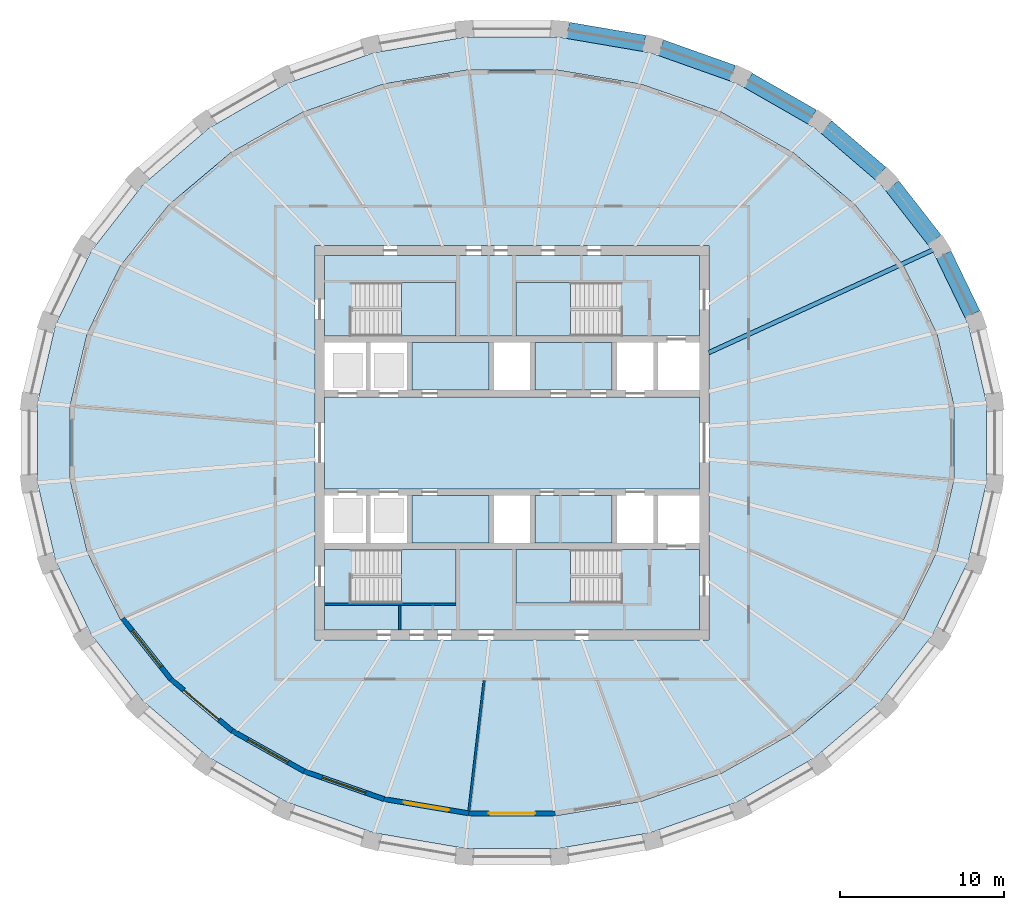
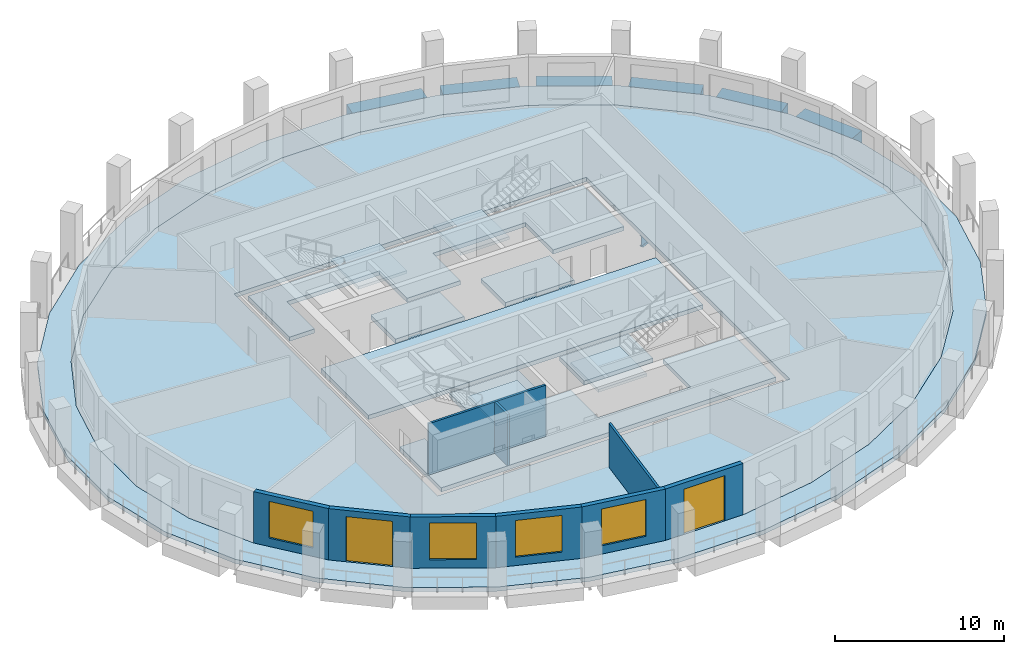
# One storey, part 2 of 10: 13 slabs, 9 walls, 7 beams, 4 windows, 2 doors, 6 openings, 4 elements without a shape of their own.
"""IFC4 building model written with IfcOpenShell, lengths in metres."""

from ifc_helpers import new_model, si_unit, direction, frame, frame_2d, origin, origin_2d, place, context, subcontext, project, spatial, polyline, rectangle, i_section, outline, extrude, material, layer, layer_set, material_profile, profile_set, type_object, element, fill, aggregate, save


model = new_model("IFC4")

# Units and contexts
model_context = context("Model", 3, precision=1e-05, world=origin(), true_north=direction((0.0, 1.0)))
body_context = subcontext(model_context, "Body", "Model", "MODEL_VIEW")
ifc_project = project(units=[si_unit("LENGTHUNIT", "METRE"), si_unit("AREAUNIT", "SQUARE_METRE"), si_unit("VOLUMEUNIT", "CUBIC_METRE"), si_unit("PLANEANGLEUNIT", "RADIAN"), si_unit("MASSUNIT", "GRAM", prefix="KILO")], contexts=[model_context])

# Site, building, storey
site_placement = place(None, origin())
site = spatial("IfcSite", under=ifc_project, at=site_placement, CompositionType="ELEMENT")
building_placement = place(site_placement, origin())
building = spatial("IfcBuilding", under=site, at=building_placement, Name="Halqa Exchange Tower", CompositionType="ELEMENT")
storey_placement = place(building_placement, frame((0.0, 0.0, 284.300048828125)))
storey = spatial("IfcBuildingStorey", under=building, at=storey_placement, Name="L66", CompositionType="ELEMENT", Elevation=284.300048828125)

# Beams
ifc_material_1 = material(Name="Steel S355", Category="steel")
ifc_material_profile_1 = material_profile(ifc_material_1, i_section(OverallWidth=0.264892578125, OverallDepth=0.7529296875, WebThickness=0.01318359375, FlangeThickness=0.01708984375, FilletRadius=0.01708984375, at=origin_2d()), Name="IPE 750x147")
ifc_profile_set_1 = profile_set([ifc_material_profile_1], Name="Steel S355")
beam_type_1 = type_object("IfcBeamType", Name="Floor beam IPE 750x147", PredefinedType="BEAM", material=ifc_profile_set_1)
beam_1_placement = place(storey_placement, frame((11.972412109375, 5.4853515625, -0.676513671875), z_axis=(0.909129124533, 0.416514387417, 0.0), x_axis=(-0.416514387417, 0.909129124533, 0.0)))
element("IfcBeam", 1, at=beam_1_placement, inside=storey, type_object=beam_type_1, Name="Radial beam 3", PredefinedType="BEAM", context=body_context, shape_type="SweptSolid", body=[
    extrude(i_section(OverallWidth=0.264892578125, OverallDepth=0.7529296875, WebThickness=0.01318359375, FlangeThickness=0.01708984375, FilletRadius=0.01708984375, at=origin_2d()), origin(), (0.0, 0.0, 1.0), 15.097412109375),
])
ifc_material_2 = material(Name="Concrete C60/75", Category="concrete")
ifc_material_profile_2 = material_profile(ifc_material_2, rectangle(XDim=1.0, YDim=0.89990234375, at=origin_2d()), Name="1000 x 900")
ifc_profile_set_2 = profile_set([ifc_material_profile_2], Name="Concrete C60/75")
beam_type_2 = type_object("IfcBeamType", Name="RC spandrel beam 1000 x 900 C60/75", PredefinedType="SPANDREL", material=ifc_profile_set_2)
beam_2_placement = place(storey_placement, frame((28.0263671875, 7.8193359375, -0.449951171875), z_axis=(-0.435061697702, 0.90040064371, 0.0), x_axis=(-0.90040064371, -0.435061697702, 0.0)))
element("IfcBeam", 2, at=beam_2_placement, inside=storey, type_object=beam_type_2, Name="Spandrel 2", PredefinedType="SPANDREL", context=body_context, shape_type="SweptSolid", body=[
    extrude(rectangle(XDim=1.0, YDim=0.89990234375, at=origin_2d()), origin(), (0.0, 0.0, 1.0), 4.039794921875),
])
beam_3_placement = place(storey_placement, frame((25.71728515625, 12.343994140625, -0.449951171875), z_axis=(-0.614781231149, 0.788697684684, 0.0), x_axis=(-0.788697684684, -0.614781231149, 0.0)))
element("IfcBeam", 3, at=beam_3_placement, inside=storey, type_object=beam_type_2, Name="Spandrel 3", PredefinedType="SPANDREL", context=body_context, shape_type="SweptSolid", body=[
    extrude(rectangle(XDim=1.0, YDim=0.89990234375, at=origin_2d()), origin(), (0.0, 0.0, 1.0), 4.180419921875),
])
beam_4_placement = place(storey_placement, frame((22.42626953125, 16.396484375, -0.449951171875), z_axis=(-0.759256602365, 0.650791373456, 0.0), x_axis=(-0.650791373456, -0.759256602365, 0.0)))
element("IfcBeam", 4, at=beam_4_placement, inside=storey, type_object=beam_type_2, Name="Spandrel 4", PredefinedType="SPANDREL", context=body_context, shape_type="SweptSolid", body=[
    extrude(rectangle(XDim=1.0, YDim=0.89990234375, at=origin_2d()), origin(), (0.0, 0.0, 1.0), 4.342041015625),
])
beam_5_placement = place(storey_placement, frame((18.27685546875, 19.82373046875, -0.449951171875), z_axis=(-0.867761736786, 0.496980450492, 0.0), x_axis=(-0.496980450492, -0.867761736786, 0.0)))
element("IfcBeam", 5, at=beam_5_placement, inside=storey, type_object=beam_type_2, Name="Spandrel 5", PredefinedType="SPANDREL", context=body_context, shape_type="SweptSolid", body=[
    extrude(rectangle(XDim=1.0, YDim=0.89990234375, at=origin_2d()), origin(), (0.0, 0.0, 1.0), 4.497802734375),
])
beam_6_placement = place(storey_placement, frame((13.42529296875, 22.4951171875, -0.449951171875), z_axis=(-0.942367104473, 0.334580693418, 0.0), x_axis=(-0.334580693418, -0.942367104473, 0.0)))
element("IfcBeam", 6, at=beam_6_placement, inside=storey, type_object=beam_type_2, Name="Spandrel 6", PredefinedType="SPANDREL", context=body_context, shape_type="SweptSolid", body=[
    extrude(rectangle(XDim=1.0, YDim=0.89990234375, at=origin_2d()), origin(), (0.0, 0.0, 1.0), 4.626220703125),
])
beam_7_placement = place(storey_placement, frame((8.05419921875, 24.306640625, -0.449951171875), z_axis=(-0.985774984222, 0.168070462848, 0.0), x_axis=(-0.168070462848, -0.985774984222, 0.0)))
element("IfcBeam", 7, at=beam_7_placement, inside=storey, type_object=beam_type_2, Name="Spandrel 7", PredefinedType="SPANDREL", context=body_context, shape_type="SweptSolid", body=[
    extrude(rectangle(XDim=1.0, YDim=0.89990234375, at=origin_2d()), origin(), (0.0, 0.0, 1.0), 4.710693359375),
])

# Slabs
ifc_layer_1 = layer(ifc_material_2, 0.300048828125)
ifc_layer_set_1 = layer_set([ifc_layer_1], Name="Concrete C60/75")
slab_type_1 = type_object("IfcSlabType", Name="Core floor slab 300", PredefinedType="FLOOR", material=ifc_layer_set_1)
slab_1_placement = place(storey_placement, frame((0.0, 0.0, -0.300048828125)))
element("IfcSlab", 8, at=slab_1_placement, inside=storey, type_object=slab_type_1, Name="Core floor slab", PredefinedType="FLOOR", context=body_context, shape_type="SweptSolid", body=[
    extrude(outline(polyline([(-11.39990234375, 2.800048828125), (11.39990234375, 2.800048828125), (11.39990234375, -2.800048828125), (-11.39990234375, -2.800048828125), (-11.39990234375, 2.800048828125)])), origin(), (0.0, 0.0, 1.0), 0.300048828125),
])
slab_2_placement = place(storey_placement, frame((0.0, 0.0, -0.300048828125)))
element("IfcSlab", 9, at=slab_2_placement, inside=storey, type_object=slab_type_1, Name="Core floor slab", PredefinedType="FLOOR", context=body_context, shape_type="SweptSolid", body=[
    extrude(outline(polyline([(-11.39990234375, 11.39990234375), (11.39990234375, 11.39990234375), (11.39990234375, 6.5), (6.550048828125, 6.5), (6.550048828125, 9.75), (0.25, 9.75), (0.25, 6.5), (-3.39990234375, 6.5), (-3.39990234375, 9.75), (-9.699951171875, 9.75), (-9.699951171875, 6.5), (-11.39990234375, 6.5), (-11.39990234375, 11.39990234375)])), origin(), (0.0, 0.0, 1.0), 0.300048828125),
])
slab_3_placement = place(storey_placement, frame((0.0, 0.0, -0.300048828125)))
element("IfcSlab", 10, at=slab_3_placement, inside=storey, type_object=slab_type_1, Name="Core floor slab", PredefinedType="FLOOR", context=body_context, shape_type="SweptSolid", body=[
    extrude(outline(polyline([(-11.39990234375, -6.5), (-9.699951171875, -6.5), (-9.699951171875, -9.75), (-3.39990234375, -9.75), (-3.39990234375, -6.5), (0.25, -6.5), (0.25, -9.75), (6.550048828125, -9.75), (6.550048828125, -6.5), (11.39990234375, -6.5), (11.39990234375, -11.39990234375), (-11.39990234375, -11.39990234375), (-11.39990234375, -6.5)])), origin(), (0.0, 0.0, 1.0), 0.300048828125),
])
slab_4_placement = place(storey_placement, frame((0.0, 0.0, -0.300048828125)))
element("IfcSlab", 11, at=slab_4_placement, inside=storey, type_object=slab_type_1, Name="Core floor slab", PredefinedType="FLOOR", context=body_context, shape_type="SweptSolid", body=[
    extrude(outline(polyline([(-1.39990234375, -3.199951171875), (-1.39990234375, -6.10009765625), (-6.10009765625, -6.10009765625), (-6.10009765625, -3.199951171875), (-1.39990234375, -3.199951171875)])), origin(), (0.0, 0.0, 1.0), 0.300048828125),
])
slab_5_placement = place(storey_placement, frame((0.0, 0.0, -0.300048828125)))
element("IfcSlab", 12, at=slab_5_placement, inside=storey, type_object=slab_type_1, Name="Core floor slab", PredefinedType="FLOOR", context=body_context, shape_type="SweptSolid", body=[
    extrude(outline(polyline([(-1.39990234375, 3.199951171875), (-6.10009765625, 3.199951171875), (-6.10009765625, 6.10009765625), (-1.39990234375, 6.10009765625), (-1.39990234375, 3.199951171875)])), origin(), (0.0, 0.0, 1.0), 0.300048828125),
])
slab_6_placement = place(storey_placement, frame((0.0, 0.0, -0.300048828125)))
element("IfcSlab", 13, at=slab_6_placement, inside=storey, type_object=slab_type_1, Name="Core floor slab", PredefinedType="FLOOR", context=body_context, shape_type="SweptSolid", body=[
    extrude(outline(polyline([(6.10009765625, -3.199951171875), (6.10009765625, -6.10009765625), (1.39990234375, -6.10009765625), (1.39990234375, -3.199951171875), (6.10009765625, -3.199951171875)])), origin(), (0.0, 0.0, 1.0), 0.300048828125),
])
slab_7_placement = place(storey_placement, frame((0.0, 0.0, -0.300048828125)))
element("IfcSlab", 14, at=slab_7_placement, inside=storey, type_object=slab_type_1, Name="Core floor slab", PredefinedType="FLOOR", context=body_context, shape_type="SweptSolid", body=[
    extrude(outline(polyline([(6.10009765625, 6.10009765625), (6.10009765625, 3.199951171875), (1.39990234375, 3.199951171875), (1.39990234375, 6.10009765625), (6.10009765625, 6.10009765625)])), origin(), (0.0, 0.0, 1.0), 0.300048828125),
])
ifc_material_3 = material(Name="Concrete C40/50", Category="concrete")
ifc_layer_2 = layer(ifc_material_3, 0.300048828125)
ifc_layer_set_2 = layer_set([ifc_layer_2], Name="Concrete C40/50")
slab_type_2 = type_object("IfcSlabType", Name="RC floor slab 300", PredefinedType="FLOOR", material=ifc_layer_set_2)
slab_8_placement = place(storey_placement, frame((0.0, 0.0, -0.300048828125)))
element("IfcSlab", 15, at=slab_8_placement, inside=storey, type_object=slab_type_2, Name="Floor slab", PredefinedType="FLOOR", context=body_context, shape_type="SweptSolid", body=[
    extrude(outline(polyline([(26.897705078125, 2.2412109375), (25.859619140625, 6.6357421875), (23.825439453125, 10.771484375), (20.8759765625, 14.4892578125), (17.126708984375, 17.646728515625), (12.72265625, 20.125), (7.8330078125, 21.830810546875), (2.64453125, 22.699951171875), (-2.64453125, 22.699951171875), (-7.8330078125, 21.830810546875), (-12.72265625, 20.125), (-17.126708984375, 17.646728515625), (-20.8759765625, 14.4892578125), (-23.825439453125, 10.771484375), (-25.859619140625, 6.6357421875), (-26.897705078125, 2.2412109375), (-26.897705078125, -2.2412109375), (-25.859619140625, -6.6357421875), (-23.825439453125, -10.771484375), (-20.8759765625, -14.4892578125), (-17.126708984375, -17.646728515625), (-12.72265625, -20.125), (-7.8330078125, -21.830810546875), (-2.64453125, -22.699951171875), (2.64453125, -22.699951171875), (7.8330078125, -21.830810546875), (12.72265625, -20.125), (17.126708984375, -17.646728515625), (20.8759765625, -14.4892578125), (23.825439453125, -10.771484375), (25.859619140625, -6.6357421875), (26.897705078125, -2.2412109375), (26.897705078125, 2.2412109375)]), holes=[polyline([(-12.0, -12.0), (12.0, -12.0), (12.0, 12.0), (-12.0, 12.0), (-12.0, -12.0)])]), origin(), (0.0, 0.0, 1.0), 0.300048828125),
])
ifc_layer_3 = layer(ifc_material_3, 0.300048828125)
ifc_layer_set_3 = layer_set([ifc_layer_3], Name="Concrete C40/50")
slab_type_3 = type_object("IfcSlabType", Name="RC loggia slab 300", PredefinedType="FLOOR", material=ifc_layer_set_3)
slab_9_placement = place(storey_placement, frame((0.0, 0.0, -0.300048828125)))
element("IfcSlab", 16, at=slab_9_placement, inside=storey, type_object=slab_type_3, Name="Loggia slab", PredefinedType="FLOOR", context=body_context, shape_type="SweptSolid", body=[
    extrude(outline(polyline([(28.884033203125, 2.42333984375), (28.884033203125, -2.42333984375), (27.780517578125, -7.17919921875), (25.61279296875, -11.664794921875), (22.460693359375, -15.70849609375), (18.44189453125, -19.1533203125), (13.708984375, -21.86376953125), (8.4443359375, -23.73291015625), (2.851806640625, -24.686279296875), (-2.851806640625, -24.686279296875), (-8.4443359375, -23.73291015625), (-13.708984375, -21.86376953125), (-18.44189453125, -19.1533203125), (-22.460693359375, -15.70849609375), (-25.61279296875, -11.664794921875), (-27.780517578125, -7.17919921875), (-28.884033203125, -2.42333984375), (-28.884033203125, 2.42333984375), (-27.780517578125, 7.17919921875), (-25.61279296875, 11.664794921875), (-22.460693359375, 15.70849609375), (-18.44189453125, 19.1533203125), (-13.708984375, 21.86376953125), (-8.4443359375, 23.73291015625), (-2.851806640625, 24.686279296875), (2.851806640625, 24.686279296875), (8.4443359375, 23.73291015625), (13.708984375, 21.86376953125), (18.44189453125, 19.1533203125), (22.460693359375, 15.70849609375), (25.61279296875, 11.664794921875), (27.780517578125, 7.17919921875), (28.884033203125, 2.42333984375)]), holes=[polyline([(26.897705078125, 2.2412109375), (25.859619140625, 6.6357421875), (23.825439453125, 10.771484375), (20.8759765625, 14.4892578125), (17.126708984375, 17.646728515625), (12.72265625, 20.125), (7.8330078125, 21.830810546875), (2.64453125, 22.699951171875), (-2.64453125, 22.699951171875), (-7.8330078125, 21.830810546875), (-12.72265625, 20.125), (-17.126708984375, 17.646728515625), (-20.8759765625, 14.4892578125), (-23.825439453125, 10.771484375), (-25.859619140625, 6.6357421875), (-26.897705078125, 2.2412109375), (-26.897705078125, -2.2412109375), (-25.859619140625, -6.6357421875), (-23.825439453125, -10.771484375), (-20.8759765625, -14.4892578125), (-17.126708984375, -17.646728515625), (-12.72265625, -20.125), (-7.8330078125, -21.830810546875), (-2.64453125, -22.699951171875), (2.64453125, -22.699951171875), (7.8330078125, -21.830810546875), (12.72265625, -20.125), (17.126708984375, -17.646728515625), (20.8759765625, -14.4892578125), (23.825439453125, -10.771484375), (25.859619140625, -6.6357421875), (26.897705078125, -2.2412109375), (26.897705078125, 2.2412109375)])]), origin(), (0.0, 0.0, 1.0), 0.300048828125),
])

# Stair, slab
ifc_material_4 = material(Name="Concrete C30/37", Category="concrete")
stair_type = type_object("IfcStairType", Name="Exit stair 1500 wide", PredefinedType="HALF_TURN_STAIR", material=ifc_material_4)
stair_1_placement = place(storey_placement, origin())
stair_1 = element("IfcStair", 17, at=stair_1_placement, inside=storey, type_object=stair_type, Name="Exit stair ST1", PredefinedType="HALF_TURN_STAIR")
ifc_layer_4 = layer(ifc_material_4, 0.199951171875)
ifc_layer_set_4 = layer_set([ifc_layer_4], Name="Concrete C30/37")
slab_type_4 = type_object("IfcSlabType", Name="Stair landing 200 slab", PredefinedType="LANDING", material=ifc_layer_set_4)
slab_10_placement = place(storey_placement, frame((0.0, 0.0, 1.800048828125)))
slab_10 = element("IfcSlab", 18, at=slab_10_placement, type_object=slab_type_4, Name="ST1 landing 1", PredefinedType="LANDING", context=body_context, shape_type="SweptSolid", body=[
    extrude(outline(polyline([(-6.719970703125, 6.5), (-3.39990234375, 6.5), (-3.39990234375, 9.75), (-6.719970703125, 9.75), (-6.719970703125, 6.5)])), origin(), (0.0, 0.0, 1.0), 0.199951171875),
])
aggregate(stair_1, [slab_10])

stair_2_placement = place(storey_placement, origin())
stair_2 = element("IfcStair", 19, at=stair_2_placement, inside=storey, type_object=stair_type, Name="Exit stair ST2", PredefinedType="HALF_TURN_STAIR")
slab_11_placement = place(storey_placement, frame((0.0, 0.0, 1.800048828125)))
slab_11 = element("IfcSlab", 20, at=slab_11_placement, type_object=slab_type_4, Name="ST2 landing 1", PredefinedType="LANDING", context=body_context, shape_type="SweptSolid", body=[
    extrude(outline(polyline([(0.25, 6.5), (3.570068359375, 6.5), (3.570068359375, 9.75), (0.25, 9.75), (0.25, 6.5)])), origin(), (0.0, 0.0, 1.0), 0.199951171875),
])
aggregate(stair_2, [slab_11])

stair_3_placement = place(storey_placement, origin())
stair_3 = element("IfcStair", 21, at=stair_3_placement, inside=storey, type_object=stair_type, Name="Exit stair ST3", PredefinedType="HALF_TURN_STAIR")
slab_12_placement = place(storey_placement, frame((0.0, 0.0, 1.800048828125)))
slab_12 = element("IfcSlab", 22, at=slab_12_placement, type_object=slab_type_4, Name="ST3 landing 1", PredefinedType="LANDING", context=body_context, shape_type="SweptSolid", body=[
    extrude(outline(polyline([(-6.719970703125, -9.75), (-3.39990234375, -9.75), (-3.39990234375, -6.5), (-6.719970703125, -6.5), (-6.719970703125, -9.75)])), origin(), (0.0, 0.0, 1.0), 0.199951171875),
])
aggregate(stair_3, [slab_12])

stair_4_placement = place(storey_placement, origin())
stair_4 = element("IfcStair", 23, at=stair_4_placement, inside=storey, type_object=stair_type, Name="Exit stair ST4", PredefinedType="HALF_TURN_STAIR")
slab_13_placement = place(storey_placement, frame((0.0, 0.0, 1.800048828125)))
slab_13 = element("IfcSlab", 24, at=slab_13_placement, type_object=slab_type_4, Name="ST4 landing 1", PredefinedType="LANDING", context=body_context, shape_type="SweptSolid", body=[
    extrude(outline(polyline([(0.25, -9.75), (3.570068359375, -9.75), (3.570068359375, -6.5), (0.25, -6.5), (0.25, -9.75)])), origin(), (0.0, 0.0, 1.0), 0.199951171875),
])
aggregate(stair_4, [slab_13])

# Walls
ifc_material_5 = material(Name="Fire-rated gypsum board")
ifc_layer_5 = layer(ifc_material_5, 0.14990234375)
ifc_layer_set_5 = layer_set([ifc_layer_5], Name="Fire-rated gypsum board")
wall_type_1 = type_object("IfcWallType", Name="Fire partition EI 60 150", PredefinedType="PARTITIONING", material=ifc_layer_set_5)
wall_1_placement = place(storey_placement, frame((-1.687744140625, -14.466552734375, 0.0), z_axis=(0.0, 0.0, 1.0), x_axis=(-0.116071250105, -0.993240889663, 0.0)))
element("IfcWall", 25, at=wall_1_placement, inside=storey, type_object=wall_type_1, Name="L66-PWL-008", PredefinedType="PARTITIONING", context=body_context, shape_type="SweptSolid", body=[
    extrude(outline(polyline([(7.984375, -0.074951171875), (7.984375, 0.025390625), (7.978515625, 0.074951171875), (5.98388671875, 0.074951171875), (3.9892578125, 0.074951171875), (1.99462890625, 0.074951171875), (0.0, 0.074951171875), (0.0, 0.07275390625), (0.017333984375, -0.074951171875), (2.009033203125, -0.074951171875), (4.000732421875, -0.074951171875), (5.99267578125, -0.074951171875), (7.984375, -0.074951171875)])), origin(), (0.0, 0.0, 1.0), 3.14990234375),
])
ifc_material_6 = material(Name="Gypsum board")
ifc_layer_6 = layer(ifc_material_6, 0.14990234375)
ifc_layer_set_6 = layer_set([ifc_layer_6], Name="Gypsum board")
wall_type_2 = type_object("IfcWallType", Name="Penthouse riser wall 150 gypsum", PredefinedType="PARTITIONING", material=ifc_layer_set_6)
wall_2_placement = place(storey_placement, frame((-6.824951171875, -11.39990234375, 0.0), z_axis=(0.0, 0.0, 1.0), x_axis=(0.0, 1.0, 0.0)))
element("IfcWall", 26, at=wall_2_placement, inside=storey, type_object=wall_type_2, Name="Partition W6.825 S", PredefinedType="PARTITIONING", context=body_context, shape_type="SweptSolid", body=[
    extrude(rectangle(XDim=1.5, YDim=0.14990234375, at=frame_2d((0.75, 0.0))), origin(), (0.0, 0.0, 1.0), 3.699951171875),
])
ifc_layer_7 = layer(ifc_material_4, 0.14990234375)
ifc_layer_set_7 = layer_set([ifc_layer_7], Name="Concrete C30/37")
wall_type_3 = type_object("IfcWallType", Name="RC stair wall 150 C30/37", PredefinedType="SHEAR", material=ifc_layer_set_7)
wall_3_placement = place(storey_placement, frame((-11.39990234375, -9.824951171875, 0.0), z_axis=(0.0, 0.0, 1.0), x_axis=(1.0, 0.0, 0.0)))
element("IfcWall", 27, at=wall_3_placement, inside=storey, type_object=wall_type_3, Name="Stair ST1 north wall S", PredefinedType="SHEAR", context=body_context, shape_type="SweptSolid", body=[
    extrude(rectangle(XDim=8.0, YDim=0.14990234375, at=frame_2d((4.0, 0.0))), origin(), (0.0, 0.0, 1.0), 3.699951171875),
])

# Wall, opening, window
ifc_material_7 = material(Name="Limestone cladding", Category="masonry")
ifc_layer_8 = layer(ifc_material_7, 0.0400390625)
ifc_material_8 = material(Name="Ventilated cavity")
ifc_layer_9 = layer(ifc_material_8, 0.030029296875, ventilated=True)
ifc_material_9 = material(Name="Mineral wool insulation")
ifc_layer_10 = layer(ifc_material_9, 0.10009765625)
ifc_layer_11 = layer(ifc_material_4, 0.10009765625)
ifc_material_10 = material(Name="Internal plaster")
ifc_layer_12 = layer(ifc_material_10, 0.030029296875)
ifc_layer_set_8 = layer_set([ifc_layer_8, ifc_layer_9, ifc_layer_10, ifc_layer_11, ifc_layer_12], Name="Stone-faced insulated wall 300")
wall_type_4 = type_object("IfcWallType", Name="Stone-faced insulated wall 300", PredefinedType="STANDARD", material=ifc_layer_set_8)
wall_4_placement = place(storey_placement, frame((-23.697998046875, -10.69091796875, 0.0), z_axis=(0.0, 0.0, 1.0), x_axis=(0.621544881236, -0.783378555112, 0.0)))
wall_4 = element("IfcWall", 28, at=wall_4_placement, inside=storey, type_object=wall_type_4, Name="Glass-line wall 19", PredefinedType="STANDARD", context=body_context, shape_type="SweptSolid", body=[
    extrude(outline(polyline([(-0.01611328125, -0.14990234375), (4.7294921875, -0.14990234375), (4.69921875, 0.14990234375), (0.01611328125, 0.14990234375), (-0.01611328125, -0.14990234375)])), origin(), (0.0, 0.0, 1.0), 3.699951171875),
])
opening_1_placement = place(wall_4_placement, frame((0.957275390625, 0.0, 0.60009765625)))
opening_1 = element("IfcOpeningElement", 29, at=opening_1_placement, cuts=wall_4, Name="Opening W-F4-19", PredefinedType="OPENING", context=body_context, shape_type="SweptSolid", body=[
    extrude(rectangle(XDim=2.800048828125, YDim=2.64990234375, at=frame_2d((1.39990234375, 1.324951171875))), frame((0.0, 0.162109375, 0.0), z_axis=(0.0, -1.0, 0.0), x_axis=(1.0, 0.0, 0.0)), (0.0, 0.0, 1.0), 0.323974609375),
])
ifc_material_11 = material(Name="Clear low-emissivity glass in aluminium frame", Category="aluminium")
window_type = type_object("IfcWindowType", Name="Fixed clear glazed window 2800 x 2650", PartitioningType="DOUBLE_PANEL_VERTICAL", PredefinedType="WINDOW", material=ifc_material_11)
window_1_placement = place(opening_1_placement, origin())
window_1 = element("IfcWindow", 30, at=window_1_placement, inside=storey, type_object=window_type, Name="Window 4", OverallHeight=2.64990234375, OverallWidth=2.800048828125, PartitioningType="DOUBLE_PANEL_VERTICAL", PredefinedType="WINDOW", context=body_context, shape_type="SweptSolid", body=[
    extrude(rectangle(XDim=2.800048828125, YDim=2.64990234375, at=frame_2d((1.39990234375, 1.324951171875))), frame((0.0, 0.030029296875, 0.0), z_axis=(0.0, -1.0, 0.0), x_axis=(1.0, 0.0, 0.0)), (0.0, 0.0, 1.0), 0.06005859375),
])
fill(opening_1, window_1)

# Wall, opening, door
wall_5_placement = place(storey_placement, frame((-20.767822265625, -14.384033203125, 0.0), z_axis=(0.0, 0.0, 1.0), x_axis=(0.764876116592, -0.644177402792, 0.0)))
wall_5 = element("IfcWall", 31, at=wall_5_placement, inside=storey, type_object=wall_type_4, Name="Glass-line wall 20", PredefinedType="STANDARD", context=body_context, shape_type="SweptSolid", body=[
    extrude(outline(polyline([(-0.01513671875, -0.14990234375), (4.886962890625, -0.14990234375), (4.858642578125, 0.14990234375), (0.01513671875, 0.14990234375), (-0.01513671875, -0.14990234375)])), origin(), (0.0, 0.0, 1.0), 3.699951171875),
])
opening_2_placement = place(wall_5_placement, frame((1.036376953125, 0.0, 0.0)))
opening_2 = element("IfcOpeningElement", 32, at=opening_2_placement, cuts=wall_5, Name="Opening LG-F4-05", PredefinedType="OPENING", context=body_context, shape_type="SweptSolid", body=[
    extrude(rectangle(XDim=2.800048828125, YDim=3.25, at=frame_2d((1.39990234375, 1.625))), frame((0.0, 0.162109375, 0.0), z_axis=(0.0, -1.0, 0.0), x_axis=(1.0, 0.0, 0.0)), (0.0, 0.0, 1.0), 0.323974609375),
])
door_type = type_object("IfcDoorType", Name="Glazed sliding loggia door 2800 x 3250", OperationType="DOUBLE_DOOR_SLIDING", PredefinedType="DOOR", material=ifc_material_11)
door_1_placement = place(opening_2_placement, origin())
door_1 = element("IfcDoor", 33, at=door_1_placement, inside=storey, type_object=door_type, Name="Loggia door 5", OperationType="DOUBLE_DOOR_SLIDING", OverallHeight=3.25, OverallWidth=2.800048828125, PredefinedType="DOOR", context=body_context, shape_type="SweptSolid", body=[
    extrude(rectangle(XDim=2.800048828125, YDim=3.25, at=frame_2d((1.39990234375, 1.625))), frame((0.0, 0.02490234375, 0.0), z_axis=(0.0, -1.0, 0.0), x_axis=(1.0, 0.0, 0.0)), (0.0, 0.0, 1.0), 0.050048828125),
])
fill(opening_2, door_1)

# Wall, opening, window
wall_6_placement = place(storey_placement, frame((-17.040771484375, -17.52294921875, 0.0), z_axis=(0.0, 0.0, 1.0), x_axis=(0.871488606878, -0.490415750239, 0.0)))
wall_6 = element("IfcWall", 34, at=wall_6_placement, inside=storey, type_object=wall_type_4, Name="Glass-line wall 21", PredefinedType="STANDARD", context=body_context, shape_type="SweptSolid", body=[
    extrude(outline(polyline([(-0.01416015625, -0.14990234375), (5.039306640625, -0.14990234375), (5.012939453125, 0.14990234375), (0.01416015625, 0.14990234375), (-0.01416015625, -0.14990234375)])), origin(), (0.0, 0.0, 1.0), 3.699951171875),
])
opening_3_placement = place(wall_6_placement, frame((1.113037109375, 0.0, 0.60009765625)))
opening_3 = element("IfcOpeningElement", 35, at=opening_3_placement, cuts=wall_6, Name="Opening W-F4-21", PredefinedType="OPENING", context=body_context, shape_type="SweptSolid", body=[
    extrude(rectangle(XDim=2.800048828125, YDim=2.64990234375, at=frame_2d((1.39990234375, 1.324951171875))), frame((0.0, 0.162109375, 0.0), z_axis=(0.0, -1.0, 0.0), x_axis=(1.0, 0.0, 0.0)), (0.0, 0.0, 1.0), 0.323974609375),
])
window_2_placement = place(opening_3_placement, origin())
window_2 = element("IfcWindow", 36, at=window_2_placement, inside=storey, type_object=window_type, Name="Window 4", OverallHeight=2.64990234375, OverallWidth=2.800048828125, PartitioningType="DOUBLE_PANEL_VERTICAL", PredefinedType="WINDOW", context=body_context, shape_type="SweptSolid", body=[
    extrude(rectangle(XDim=2.800048828125, YDim=2.64990234375, at=frame_2d((1.39990234375, 1.324951171875))), frame((0.0, 0.030029296875, 0.0), z_axis=(0.0, -1.0, 0.0), x_axis=(1.0, 0.0, 0.0)), (0.0, 0.0, 1.0), 0.06005859375),
])
fill(opening_3, window_2)

wall_7_placement = place(storey_placement, frame((-12.66064453125, -19.98779296875, 0.0), z_axis=(0.0, 0.0, 1.0), x_axis=(0.944204293701, -0.329360367617, 0.0)))
wall_7 = element("IfcWall", 37, at=wall_7_placement, inside=storey, type_object=wall_type_4, Name="Glass-line wall 22", PredefinedType="STANDARD", context=body_context, shape_type="SweptSolid", body=[
    extrude(outline(polyline([(-0.01318359375, -0.14990234375), (5.165283203125, -0.14990234375), (5.139892578125, 0.14990234375), (0.01318359375, 0.14990234375), (-0.01318359375, -0.14990234375)])), origin(), (0.0, 0.0, 1.0), 3.699951171875),
])
opening_4_placement = place(wall_7_placement, frame((1.17626953125, 0.0, 0.60009765625)))
opening_4 = element("IfcOpeningElement", 38, at=opening_4_placement, cuts=wall_7, Name="Opening W-F4-22", PredefinedType="OPENING", context=body_context, shape_type="SweptSolid", body=[
    extrude(rectangle(XDim=2.800048828125, YDim=2.64990234375, at=frame_2d((1.39990234375, 1.324951171875))), frame((0.0, 0.162109375, 0.0), z_axis=(0.0, -1.0, 0.0), x_axis=(1.0, 0.0, 0.0)), (0.0, 0.0, 1.0), 0.323974609375),
])
window_3_placement = place(opening_4_placement, origin())
window_3 = element("IfcWindow", 39, at=window_3_placement, inside=storey, type_object=window_type, Name="Window 4", OverallHeight=2.64990234375, OverallWidth=2.800048828125, PartitioningType="DOUBLE_PANEL_VERTICAL", PredefinedType="WINDOW", context=body_context, shape_type="SweptSolid", body=[
    extrude(rectangle(XDim=2.800048828125, YDim=2.64990234375, at=frame_2d((1.39990234375, 1.324951171875))), frame((0.0, 0.030029296875, 0.0), z_axis=(0.0, -1.0, 0.0), x_axis=(1.0, 0.0, 0.0)), (0.0, 0.0, 1.0), 0.06005859375),
])
fill(opening_4, window_3)

wall_8_placement = place(storey_placement, frame((-7.795654296875, -21.684814453125, 0.0), z_axis=(0.0, 0.0, 1.0), x_axis=(0.986257472007, -0.165215613396, 0.0)))
wall_8 = element("IfcWall", 40, at=wall_8_placement, inside=storey, type_object=wall_type_4, Name="Glass-line wall 23", PredefinedType="STANDARD", context=body_context, shape_type="SweptSolid", body=[
    extrude(outline(polyline([(-0.0126953125, -0.14990234375), (5.248046875, -0.14990234375), (5.22314453125, 0.14990234375), (0.0126953125, 0.14990234375), (-0.0126953125, -0.14990234375)])), origin(), (0.0, 0.0, 1.0), 3.699951171875),
])
opening_5_placement = place(wall_8_placement, frame((1.2177734375, 0.0, 0.60009765625)))
opening_5 = element("IfcOpeningElement", 41, at=opening_5_placement, cuts=wall_8, Name="Opening W-F4-23", PredefinedType="OPENING", context=body_context, shape_type="SweptSolid", body=[
    extrude(rectangle(XDim=2.800048828125, YDim=2.64990234375, at=frame_2d((1.39990234375, 1.324951171875))), frame((0.0, 0.162109375, 0.0), z_axis=(0.0, -1.0, 0.0), x_axis=(1.0, 0.0, 0.0)), (0.0, 0.0, 1.0), 0.323974609375),
])
window_4_placement = place(opening_5_placement, origin())
window_4 = element("IfcWindow", 42, at=window_4_placement, inside=storey, type_object=window_type, Name="Window 4", OverallHeight=2.64990234375, OverallWidth=2.800048828125, PartitioningType="DOUBLE_PANEL_VERTICAL", PredefinedType="WINDOW", context=body_context, shape_type="SweptSolid", body=[
    extrude(rectangle(XDim=2.800048828125, YDim=2.64990234375, at=frame_2d((1.39990234375, 1.324951171875))), frame((0.0, 0.030029296875, 0.0), z_axis=(0.0, -1.0, 0.0), x_axis=(1.0, 0.0, 0.0)), (0.0, 0.0, 1.0), 0.06005859375),
])
fill(opening_5, window_4)

# Wall, opening, door
wall_9_placement = place(storey_placement, frame((-2.632080078125, -22.5498046875, 0.0), z_axis=(0.0, 0.0, 1.0), x_axis=(1.0, 0.0, 0.0)))
wall_9 = element("IfcWall", 43, at=wall_9_placement, inside=storey, type_object=wall_type_4, Name="Glass-line wall 24", PredefinedType="STANDARD", context=body_context, shape_type="SweptSolid", body=[
    extrude(outline(polyline([(-0.012451171875, -0.14990234375), (5.276611328125, -0.14990234375), (5.251708984375, 0.14990234375), (0.012451171875, 0.14990234375), (-0.012451171875, -0.14990234375)])), origin(), (0.0, 0.0, 1.0), 3.699951171875),
])
opening_6_placement = place(wall_9_placement, frame((1.232177734375, 0.0, 0.0)))
opening_6 = element("IfcOpeningElement", 44, at=opening_6_placement, cuts=wall_9, Name="Opening LG-F4-06", PredefinedType="OPENING", context=body_context, shape_type="SweptSolid", body=[
    extrude(rectangle(XDim=2.800048828125, YDim=3.25, at=frame_2d((1.39990234375, 1.625))), frame((0.0, 0.162109375, 0.0), z_axis=(0.0, -1.0, 0.0), x_axis=(1.0, 0.0, 0.0)), (0.0, 0.0, 1.0), 0.323974609375),
])
door_2_placement = place(opening_6_placement, origin())
door_2 = element("IfcDoor", 45, at=door_2_placement, inside=storey, type_object=door_type, Name="Loggia door 6", OperationType="DOUBLE_DOOR_SLIDING", OverallHeight=3.25, OverallWidth=2.800048828125, PredefinedType="DOOR", context=body_context, shape_type="SweptSolid", body=[
    extrude(rectangle(XDim=2.800048828125, YDim=3.25, at=frame_2d((1.39990234375, 1.625))), frame((0.0, 0.02490234375, 0.0), z_axis=(0.0, -1.0, 0.0), x_axis=(1.0, 0.0, 0.0)), (0.0, 0.0, 1.0), 0.050048828125),
])
fill(opening_6, door_2)

save(model, "model.ifc")
